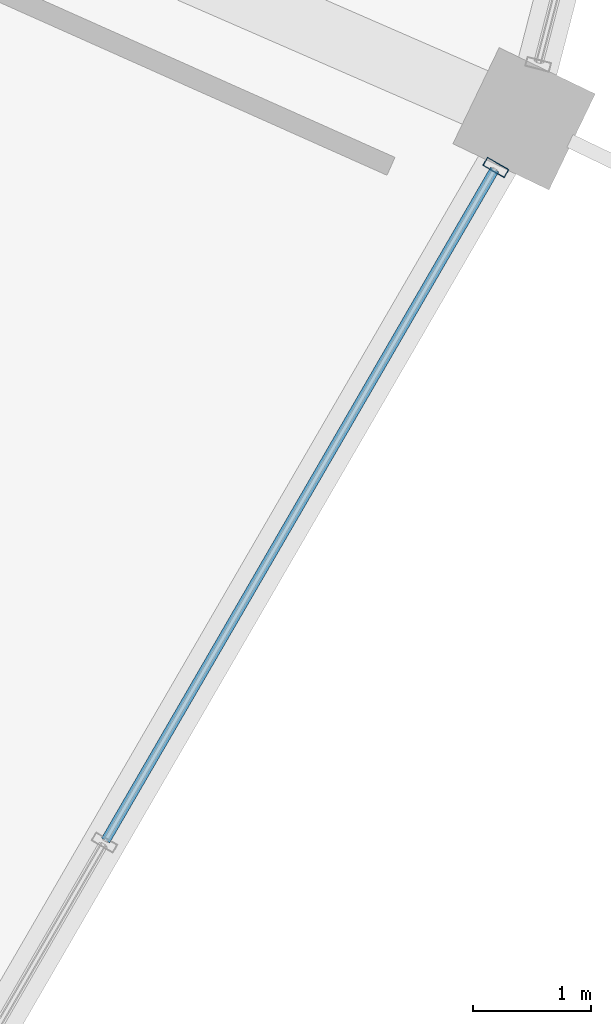
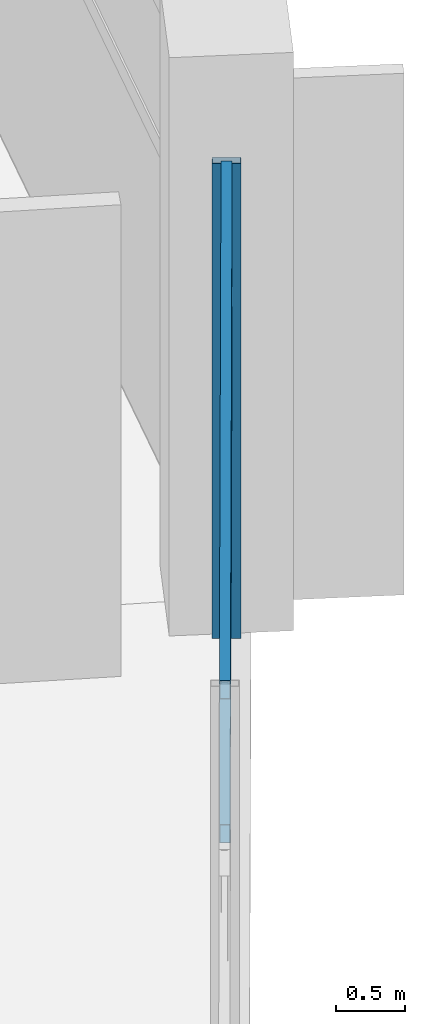
# One storey, part 73 of 184: 3 members, 1 element without a shape of its own.
"""IFC4 building model written with IfcOpenShell, lengths in metres."""

from ifc_helpers import new_model, si_unit, direction, frame, origin, origin_2d, place, context, subcontext, project, spatial, hollow_rectangle, extrude, material, layer, layer_set, material_profile, profile_set, type_object, element, aggregate, save


model = new_model("IFC4")

# Units and contexts
model_context = context("Model", 3, precision=1e-05, world=origin(), true_north=direction((0.0, 1.0)))
body_context = subcontext(model_context, "Body", "Model", "MODEL_VIEW")
ifc_project = project(units=[si_unit("LENGTHUNIT", "METRE"), si_unit("AREAUNIT", "SQUARE_METRE"), si_unit("VOLUMEUNIT", "CUBIC_METRE"), si_unit("PLANEANGLEUNIT", "RADIAN"), si_unit("MASSUNIT", "GRAM", prefix="KILO")], contexts=[model_context])

# Site, building, storey
site_placement = place(None, origin())
site = spatial("IfcSite", under=ifc_project, at=site_placement, CompositionType="ELEMENT")
building_placement = place(site_placement, origin())
building = spatial("IfcBuilding", under=site, at=building_placement, Name="Kazemori Nagisa Stadium", CompositionType="ELEMENT")
storey_placement = place(building_placement, frame((0.0, 0.0, 10.5400390625)))
storey = spatial("IfcBuildingStorey", under=building, at=storey_placement, Name="L02", CompositionType="ELEMENT", Elevation=10.5400390625)

# Curtain wall, members
ifc_material_1 = material(Name="Anodised aluminium 6063-T5", Category="aluminium")
ifc_layer = layer(ifc_material_1, 0.2099609375, Name="Anodised aluminium 6063-T5", Category="aluminium")
ifc_layer_set = layer_set([ifc_layer], Name="Anodised aluminium 6063-T5")
curtain_wall_type = type_object("IfcCurtainWallType", Name="CW_L02R3_99", PredefinedType="USERDEFINED", material=ifc_layer_set)
curtain_wall_placement = place(storey_placement, origin())
curtain_wall = element("IfcCurtainWall", 1, at=curtain_wall_placement, inside=storey, type_object=curtain_wall_type, Name="Unitised curtain wall CW-L02R3-99 L02", ObjectType="UNITISED CURTAIN WALL", PredefinedType="USERDEFINED")
ifc_material_2 = material(Name="Aluminium 6063-T5 anodised", Category="aluminium")
ifc_material_profile_1 = material_profile(ifc_material_2, hollow_rectangle(XDim=0.080078125, YDim=0.2099609375, WallThickness=0.0048828125, at=origin_2d()), Name="ALU-MULL-80x210x5")
ifc_profile_set_1 = profile_set([ifc_material_profile_1], Name="Aluminium 6063-T5 anodised")
member_type_1 = type_object("IfcMemberType", Name="Mullion_M02", PredefinedType="MULLION", material=ifc_profile_set_1)
member_1_placement = place(storey_placement, frame((211.646728515625, 62.839599609375, 0.0), z_axis=(0.0, 0.0, 1.0), x_axis=(0.501611590054, 0.865092950337, 0.0)))
member_1 = element("IfcMember", 2, at=member_1_placement, type_object=member_type_1, Name="Curtain wall mullion CW-L02R3-99-M4", PredefinedType="MULLION", context=body_context, shape_type="SweptSolid", body=[
    extrude(hollow_rectangle(XDim=0.080078125, YDim=0.2099609375, WallThickness=0.0048828125, at=origin_2d()), origin(), (0.0, 0.0, 1.0), 4.18994140625),
])
ifc_material_profile_2 = material_profile(ifc_material_2, hollow_rectangle(XDim=0.080078125, YDim=0.159912109375, WallThickness=0.00390625, at=origin_2d()), Name="ALU-TRAN-80x160x4")
ifc_profile_set_2 = profile_set([ifc_material_profile_2], Name="Aluminium 6063-T5 anodised")
member_type_2 = type_object("IfcMemberType", Name="Transom_T02", PredefinedType="USERDEFINED", material=ifc_profile_set_2)
member_2_placement = place(storey_placement, frame((208.352294921875, 57.158203125, 2.84912109375), z_axis=(0.501634382126, 0.865079734284, 0.0), x_axis=(-0.865079734284, 0.501634382126, 0.0)))
member_2 = element("IfcMember", 3, at=member_2_placement, type_object=member_type_2, Name="Curtain wall transom CW-L02R3-99-T3-mid", ObjectType="TRANSOM", PredefinedType="USERDEFINED", context=body_context, shape_type="SweptSolid", body=[
    extrude(hollow_rectangle(XDim=0.080078125, YDim=0.159912109375, WallThickness=0.00390625, at=origin_2d()), origin(), (0.0, 0.0, 1.0), 6.54736328125),
])
member_3_placement = place(storey_placement, frame((208.352294921875, 57.158203125, 4.119873046875), z_axis=(0.501634382126, 0.865079734284, 0.0), x_axis=(-0.865079734284, 0.501634382126, 0.0)))
member_3 = element("IfcMember", 4, at=member_3_placement, type_object=member_type_2, Name="Curtain wall transom CW-L02R3-99-T3-head", ObjectType="TRANSOM", PredefinedType="USERDEFINED", context=body_context, shape_type="SweptSolid", body=[
    extrude(hollow_rectangle(XDim=0.080078125, YDim=0.159912109375, WallThickness=0.00390625, at=origin_2d()), origin(), (0.0, 0.0, 1.0), 6.54736328125),
])
aggregate(curtain_wall, [member_1, member_2, member_3])

save(model, "model.ifc")
